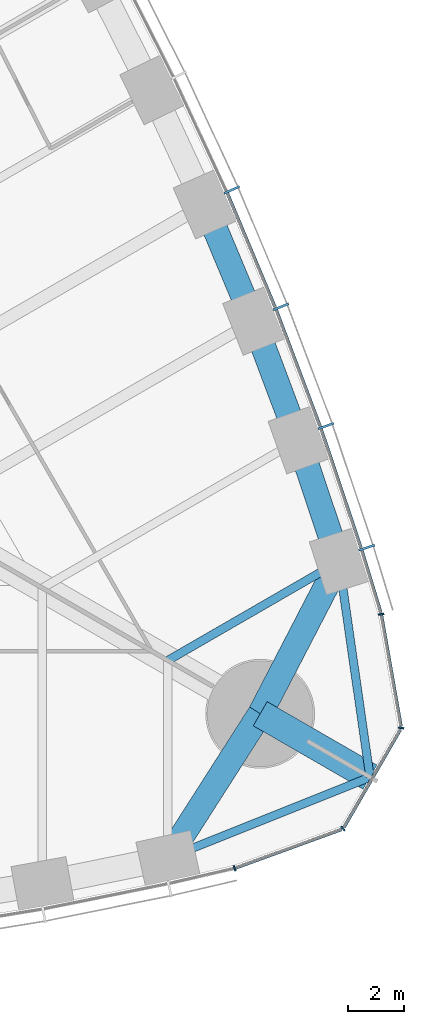
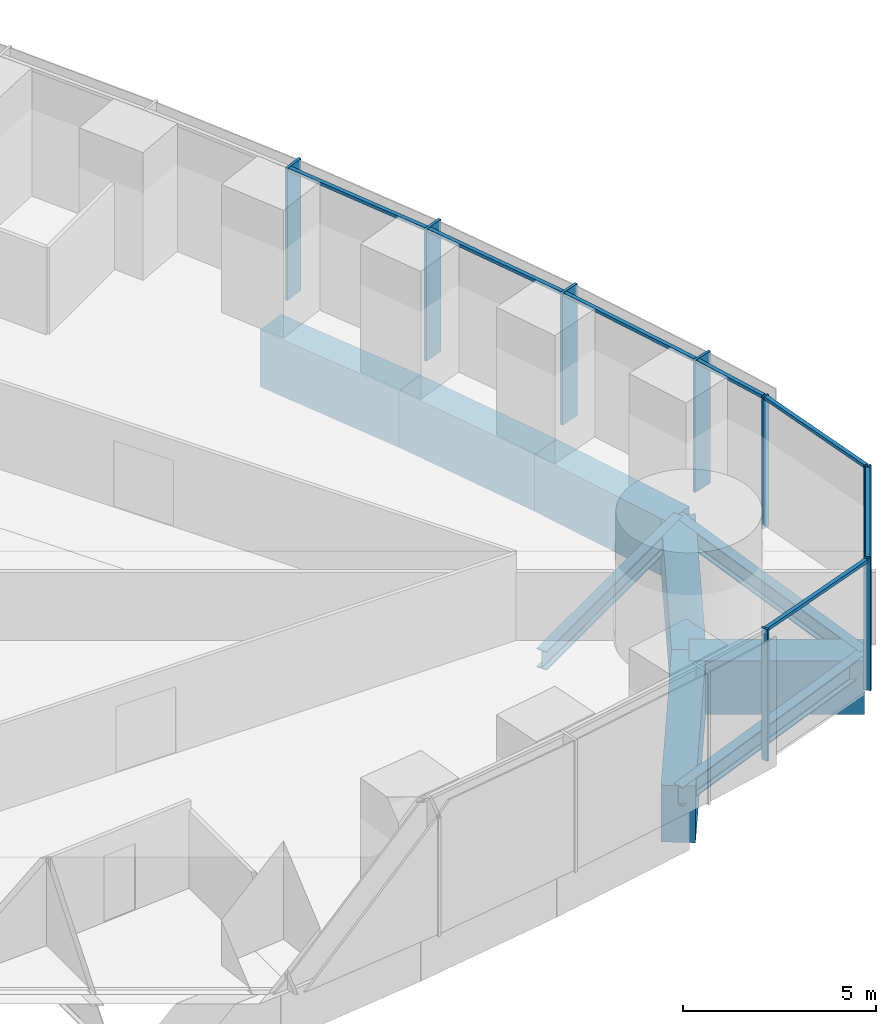
# One storey, part 7 of 19: 15 members, 9 beams, 2 elements without a shape of their own.
"""IFC4 building model written with IfcOpenShell, lengths in metres."""

from ifc_helpers import new_model, si_unit, direction, frame, origin, origin_2d, place, context, subcontext, project, spatial, rectangle, i_section, extrude, material, material_profile, profile_set, type_object, element, aggregate, save


model = new_model("IFC4")

# Units and contexts
model_context = context("Model", 3, precision=1e-05, world=origin(), true_north=direction((0.0, 1.0)))
body_context = subcontext(model_context, "Body", "Model", "MODEL_VIEW")
ifc_project = project(units=[si_unit("LENGTHUNIT", "METRE"), si_unit("AREAUNIT", "SQUARE_METRE"), si_unit("VOLUMEUNIT", "CUBIC_METRE"), si_unit("PLANEANGLEUNIT", "RADIAN"), si_unit("MASSUNIT", "GRAM", prefix="KILO")], contexts=[model_context])

# Site, building, storey
site_placement = place(None, origin())
site = spatial("IfcSite", under=ifc_project, at=site_placement, CompositionType="ELEMENT")
building_placement = place(site_placement, origin())
building = spatial("IfcBuilding", under=site, at=building_placement, Name="Trefoil Bronze Tower", CompositionType="ELEMENT")
storey_placement = place(building_placement, frame((0.0, 0.0, 166.10009765625)))
storey = spatial("IfcBuildingStorey", under=building, at=storey_placement, Name="L38", CompositionType="ELEMENT", Elevation=166.10009765625)

# Curtain wall, members
ifc_material_1 = material(Name="Tinted solar-control glass", Category="glass")
curtain_wall_type_1 = type_object("IfcCurtainWallType", Name="Bronze office curtain wall", PredefinedType="USERDEFINED", material=ifc_material_1)
curtain_wall_1_placement = place(storey_placement, origin())
curtain_wall_1 = element("IfcCurtainWall", 1, at=curtain_wall_1_placement, inside=storey, type_object=curtain_wall_type_1, Name="CW-A L38 F2", ObjectType="CURTAIN WALL", PredefinedType="USERDEFINED")
ifc_material_2 = material(Name="Bronze-finish aluminium", Category="aluminium")
ifc_material_profile_1 = material_profile(ifc_material_2, rectangle(XDim=0.60009765625, YDim=0.080078125, at=origin_2d()), Name="CW-A mullion")
ifc_profile_set_1 = profile_set([ifc_material_profile_1], Name="Bronze-finish aluminium")
member_type_1 = type_object("IfcMemberType", Name="Bronze office curtain wall mullion", PredefinedType="MULLION", material=ifc_profile_set_1)
member_1_placement = place(storey_placement, frame((34.1337890625, -11.543212890625, 0.0), z_axis=(0.0, 0.0, 1.0), x_axis=(-0.952331125357, -0.30506626768, 0.0)))
member_1 = element("IfcMember", 2, at=member_1_placement, type_object=member_type_1, Name="CW-A L38 F2 mullion 2", PredefinedType="MULLION", context=body_context, shape_type="SweptSolid", body=[
    extrude(rectangle(XDim=0.60009765625, YDim=0.080078125, at=origin_2d()), origin(), (0.0, 0.0, 1.0), 4.179931640625),
])
member_2_placement = place(storey_placement, frame((32.668701171875, -7.181884765625, 0.0), z_axis=(0.0, 0.0, 1.0), x_axis=(-0.94196250502, -0.335718094742, 0.0)))
member_2 = element("IfcMember", 3, at=member_2_placement, type_object=member_type_1, Name="CW-A L38 F2 mullion 3", PredefinedType="MULLION", context=body_context, shape_type="SweptSolid", body=[
    extrude(rectangle(XDim=0.60009765625, YDim=0.080078125, at=origin_2d()), origin(), (0.0, 0.0, 1.0), 4.179931640625),
])
member_3_placement = place(storey_placement, frame((31.055419921875, -2.90478515625, 0.0), z_axis=(0.0, 0.0, 1.0), x_axis=(-0.929071242848, -0.369900832269, 0.0)))
member_3 = element("IfcMember", 4, at=member_3_placement, type_object=member_type_1, Name="CW-A L38 F2 mullion 4", PredefinedType="MULLION", context=body_context, shape_type="SweptSolid", body=[
    extrude(rectangle(XDim=0.60009765625, YDim=0.080078125, at=origin_2d()), origin(), (0.0, 0.0, 1.0), 4.179931640625),
])
member_4_placement = place(storey_placement, frame((29.296875, 1.28857421875, 0.0), z_axis=(0.0, 0.0, 1.0), x_axis=(-0.915018269914, -0.40341240155, 0.0)))
member_4 = element("IfcMember", 5, at=member_4_placement, type_object=member_type_1, Name="CW-A L38 F2 mullion 5", PredefinedType="MULLION", context=body_context, shape_type="SweptSolid", body=[
    extrude(rectangle(XDim=0.60009765625, YDim=0.080078125, at=origin_2d()), origin(), (0.0, 0.0, 1.0), 4.179931640625),
])
ifc_material_3 = material(Name="Bronze-finish aluminium", Category="aluminium")
ifc_material_profile_2 = material_profile(ifc_material_3, rectangle(XDim=0.1201171875, YDim=0.10009765625, at=origin_2d()), Name="CW-A transom")
ifc_profile_set_2 = profile_set([ifc_material_profile_2], Name="Bronze-finish aluminium")
member_type_2 = type_object("IfcMemberType", Name="Bronze office curtain wall transom", PredefinedType="USERDEFINED", material=ifc_profile_set_2)
member_5_placement = place(storey_placement, frame((34.637939453125, -13.88232421875, 4.1298828125), z_axis=(-0.291680468798, 0.956515814883, 0.0), x_axis=(-0.956515814883, -0.291680468798, 0.0)))
member_5 = element("IfcMember", 6, at=member_5_placement, type_object=member_type_2, Name="CW-A L38 F2 transom 1", ObjectType="TRANSOM", PredefinedType="USERDEFINED", context=body_context, shape_type="SweptSolid", body=[
    extrude(rectangle(XDim=0.1201171875, YDim=0.10009765625, at=origin_2d()), origin(), (0.0, 0.0, 1.0), 2.34033203125),
])
member_6_placement = place(storey_placement, frame((33.929931640625, -11.56494140625, 4.1298828125), z_axis=(-0.318386323729, 0.947961048178, 0.0), x_axis=(-0.947961048178, -0.318386323729, 0.0)))
member_6 = element("IfcMember", 7, at=member_6_placement, type_object=member_type_2, Name="CW-A L38 F2 transom 2", ObjectType="TRANSOM", PredefinedType="USERDEFINED", context=body_context, shape_type="SweptSolid", body=[
    extrude(rectangle(XDim=0.1201171875, YDim=0.10009765625, at=origin_2d()), origin(), (0.0, 0.0, 1.0), 4.51123046875),
])
member_7_placement = place(storey_placement, frame((32.465576171875, -7.2099609375, 4.1298828125), z_axis=(-0.352932154759, 0.935648916067, 0.0), x_axis=(-0.935648916067, -0.352932154759, 0.0)))
member_7 = element("IfcMember", 8, at=member_7_placement, type_object=member_type_2, Name="CW-A L38 F2 transom 3", ObjectType="TRANSOM", PredefinedType="USERDEFINED", context=body_context, shape_type="SweptSolid", body=[
    extrude(rectangle(XDim=0.1201171875, YDim=0.10009765625, at=origin_2d()), origin(), (0.0, 0.0, 1.0), 4.48046875),
])
member_8_placement = place(storey_placement, frame((30.853515625, -2.940185546875, 4.1298828125), z_axis=(-0.386773266184, 0.922174842731, 0.0), x_axis=(-0.922174842731, -0.386773266184, 0.0)))
member_8 = element("IfcMember", 9, at=member_8_placement, type_object=member_type_2, Name="CW-A L38 F2 transom 4", ObjectType="TRANSOM", PredefinedType="USERDEFINED", context=body_context, shape_type="SweptSolid", body=[
    extrude(rectangle(XDim=0.1201171875, YDim=0.10009765625, at=origin_2d()), origin(), (0.0, 0.0, 1.0), 4.45654296875),
])
aggregate(curtain_wall_1, [member_1, member_2, member_3, member_4, member_5, member_6, member_7, member_8])

ifc_material_4 = material(Name="Tinted solar-control glass", Category="glass")
curtain_wall_type_2 = type_object("IfcCurtainWallType", Name="Bronze rounded corner curtain wall", PredefinedType="USERDEFINED", material=ifc_material_4)
curtain_wall_2_placement = place(storey_placement, origin())
curtain_wall_2 = element("IfcCurtainWall", 10, at=curtain_wall_2_placement, inside=storey, type_object=curtain_wall_type_2, Name="CW-B L38 K1", ObjectType="CURTAIN WALL", PredefinedType="USERDEFINED")
ifc_material_5 = material(Name="Bronze-finish aluminium", Category="aluminium")
ifc_material_profile_3 = material_profile(ifc_material_5, rectangle(XDim=0.199951171875, YDim=0.06005859375, at=origin_2d()), Name="CW-B mullion")
ifc_profile_set_3 = profile_set([ifc_material_profile_3], Name="Bronze-finish aluminium")
member_type_3 = type_object("IfcMemberType", Name="Bronze rounded corner curtain wall mullion", PredefinedType="MULLION", material=ifc_profile_set_3)
member_9_placement = place(storey_placement, frame((29.391845703125, -23.043701171875, 0.0), z_axis=(0.0, 0.0, 1.0), x_axis=(-0.342020143326, 0.939692620786, 0.0)))
member_9 = element("IfcMember", 11, at=member_9_placement, type_object=member_type_3, Name="CW-B L38 K1 mullion 1", PredefinedType="MULLION", context=body_context, shape_type="SweptSolid", body=[
    extrude(rectangle(XDim=0.199951171875, YDim=0.06005859375, at=origin_2d()), origin(), (0.0, 0.0, 1.0), 4.179931640625),
])
member_10_placement = place(storey_placement, frame((33.27880859375, -21.62255859375, 0.0), z_axis=(0.0, 0.0, 1.0), x_axis=(-0.642787609687, 0.766044443119, 0.0)))
member_10 = element("IfcMember", 12, at=member_10_placement, type_object=member_type_3, Name="CW-B L38 K1 mullion 2", PredefinedType="MULLION", context=body_context, shape_type="SweptSolid", body=[
    extrude(rectangle(XDim=0.199951171875, YDim=0.06005859375, at=origin_2d()), origin(), (0.0, 0.0, 1.0), 4.179931640625),
])
member_11_placement = place(storey_placement, frame((35.364990234375, -18.009033203125, 0.0), z_axis=(0.0, 0.0, 1.0), x_axis=(-0.984807753012, 0.173648177667, 0.0)))
member_11 = element("IfcMember", 13, at=member_11_placement, type_object=member_type_3, Name="CW-B L38 K1 mullion 3", PredefinedType="MULLION", context=body_context, shape_type="SweptSolid", body=[
    extrude(rectangle(XDim=0.199951171875, YDim=0.06005859375, at=origin_2d()), origin(), (0.0, 0.0, 1.0), 4.179931640625),
])
member_12_placement = place(storey_placement, frame((34.65234375, -13.932373046875, 0.0), z_axis=(0.0, 0.0, 1.0), x_axis=(-0.984807753012, -0.173648177667, 0.0)))
member_12 = element("IfcMember", 14, at=member_12_placement, type_object=member_type_3, Name="CW-B L38 K1 mullion 4", PredefinedType="MULLION", context=body_context, shape_type="SweptSolid", body=[
    extrude(rectangle(XDim=0.199951171875, YDim=0.06005859375, at=origin_2d()), origin(), (0.0, 0.0, 1.0), 4.179931640625),
])
ifc_material_6 = material(Name="Bronze-finish aluminium", Category="aluminium")
ifc_material_profile_4 = material_profile(ifc_material_6, rectangle(XDim=0.1201171875, YDim=0.10009765625, at=origin_2d()), Name="CW-B transom")
ifc_profile_set_4 = profile_set([ifc_material_profile_4], Name="Bronze-finish aluminium")
member_type_4 = type_object("IfcMemberType", Name="Bronze rounded corner curtain wall transom", PredefinedType="USERDEFINED", material=ifc_profile_set_4)
member_13_placement = place(storey_placement, frame((29.420166015625, -23.033447265625, 4.1298828125), z_axis=(0.939684096629, 0.342043562347, 0.0), x_axis=(-0.342043562347, 0.939684096629, 0.0)))
member_13 = element("IfcMember", 15, at=member_13_placement, type_object=member_type_4, Name="CW-B L38 K1 transom 1", ObjectType="TRANSOM", PredefinedType="USERDEFINED", context=body_context, shape_type="SweptSolid", body=[
    extrude(rectangle(XDim=0.1201171875, YDim=0.10009765625, at=origin_2d()), origin(), (0.0, 0.0, 1.0), 4.044189453125),
])
member_14_placement = place(storey_placement, frame((33.31591796875, -21.570068359375, 4.1298828125), z_axis=(0.500015078168, 0.866016698225, 0.0), x_axis=(-0.866016698225, 0.500015078168, 0.0)))
member_14 = element("IfcMember", 16, at=member_14_placement, type_object=member_type_4, Name="CW-B L38 K1 transom 2", ObjectType="TRANSOM", PredefinedType="USERDEFINED", context=body_context, shape_type="SweptSolid", body=[
    extrude(rectangle(XDim=0.1201171875, YDim=0.10009765625, at=origin_2d()), origin(), (0.0, 0.0, 1.0), 4.04443359375),
])
member_15_placement = place(storey_placement, frame((35.35986328125, -17.944580078125, 4.1298828125), z_axis=(-0.173682016639, 0.984801785689, 0.0), x_axis=(-0.984801785689, -0.173682016639, 0.0)))
member_15 = element("IfcMember", 17, at=member_15_placement, type_object=member_type_4, Name="CW-B L38 K1 transom 3", ObjectType="TRANSOM", PredefinedType="USERDEFINED", context=body_context, shape_type="SweptSolid", body=[
    extrude(rectangle(XDim=0.1201171875, YDim=0.10009765625, at=origin_2d()), origin(), (0.0, 0.0, 1.0), 4.044189453125),
])
aggregate(curtain_wall_2, [member_9, member_10, member_11, member_12, member_13, member_14, member_15])

# Beams
ifc_material_7 = material(Name="Concrete B80", Category="concrete")
ifc_material_profile_5 = material_profile(ifc_material_7, rectangle(XDim=1.0, YDim=1.699951171875, at=origin_2d()), Name="RC 1000x1700")
ifc_profile_set_5 = profile_set([ifc_material_profile_5], Name="Concrete B80")
beam_type_1 = type_object("IfcBeamType", Name="Corner cantilever RC 1000x1700", PredefinedType="BEAM", material=ifc_profile_set_5)
beam_1_placement = place(storey_placement, frame((30.310791015625, -17.5, -1.050048828125), z_axis=(0.866031878637, -0.499988785058, 0.0), x_axis=(0.499988785058, 0.866031878637, 0.0)))
element("IfcBeam", 18, at=beam_1_placement, inside=storey, type_object=beam_type_1, Name="Corner cantilever K1 L38", PredefinedType="BEAM", context=body_context, shape_type="SweptSolid", body=[
    extrude(rectangle(XDim=1.0, YDim=1.699951171875, at=origin_2d()), origin(), (0.0, 0.0, 1.0), 4.54931640625),
])
ifc_material_8 = material(Name="Steel C355", Category="steel")
ifc_material_profile_6 = material_profile(ifc_material_8, i_section(OverallWidth=0.300048828125, OverallDepth=0.60009765625, WebThickness=0.015380859375, FlangeThickness=0.030029296875, FilletRadius=0.027099609375, at=origin_2d()), Name="HEB 600")
ifc_profile_set_6 = profile_set([ifc_material_profile_6], Name="Steel C355")
beam_type_2 = type_object("IfcBeamType", Name="Corner edge beam HEB 600", PredefinedType="BEAM", material=ifc_profile_set_6)
for number, where, z_axis, x_axis, name in (
    (19, (27.0, -22.67724609375, -0.5), (0.928375332495, 0.371643972122, 0.0), (-0.371643972122, 0.928375332495, 0.0), "Corner edge beam F1A L38"),
    (20, (33.13916015625, -12.044189453125, -0.5), (0.142327214588, -0.989819662357, 0.0), (0.989819662357, 0.142327214588, 0.0), "Corner edge beam F2B L38"),
):
    element("IfcBeam", number, at=place(storey_placement, frame(where, z_axis=z_axis, x_axis=x_axis)), inside=storey, type_object=beam_type_2, Name=name, PredefinedType="BEAM", context=body_context, shape_type="SweptSolid", body=[
        extrude(i_section(OverallWidth=0.300048828125, OverallDepth=0.60009765625, WebThickness=0.015380859375, FlangeThickness=0.030029296875, FilletRadius=0.027099609375, at=origin_2d()), origin(), (0.0, 0.0, 1.0), 7.81005859375),
    ])
ifc_material_9 = material(Name="Concrete B80", Category="concrete")
ifc_material_profile_7 = material_profile(ifc_material_9, rectangle(XDim=0.89990234375, YDim=1.800048828125, at=origin_2d()), Name="RC 900x1800")
ifc_profile_set_7 = profile_set([ifc_material_profile_7], Name="Concrete B80")
beam_type_3 = type_object("IfcBeamType", Name="End spandrel beam RC 900x1800", PredefinedType="SPANDREL", material=ifc_profile_set_7)
for number, where, z_axis, x_axis, name in (
    (21, (27.0, -22.67724609375, -1.10009765625), (0.53874814953, 0.84246687257, 0.0), (-0.84246687257, 0.53874814953, 0.0), "Spandrel F1.14 L38"),
    (22, (30.310791015625, -17.5, -1.10009765625), (0.460244107083, 0.887792409235, 0.0), (-0.887792409235, 0.460244107083, 0.0), "Spandrel F2.1 L38"),
):
    element("IfcBeam", number, at=place(storey_placement, frame(where, z_axis=z_axis, x_axis=x_axis)), inside=storey, type_object=beam_type_3, Name=name, PredefinedType="SPANDREL", context=body_context, shape_type="SweptSolid", body=[
        extrude(rectangle(XDim=0.89990234375, YDim=1.800048828125, at=origin_2d()), origin(), (0.0, 0.0, 1.0), 6.145263671875),
    ])
ifc_material_10 = material(Name="Steel C355", Category="steel")
ifc_material_profile_8 = material_profile(ifc_material_10, i_section(OverallWidth=0.300048828125, OverallDepth=0.60009765625, WebThickness=0.015380859375, FlangeThickness=0.030029296875, FilletRadius=0.027099609375, at=origin_2d()), Name="HEB 600")
ifc_profile_set_8 = profile_set([ifc_material_profile_8], Name="Steel C355")
beam_type_4 = type_object("IfcBeamType", Name="Floor beam HEB 600", PredefinedType="BEAM", material=ifc_profile_set_8)
beam_2_placement = place(storey_placement, frame((33.13916015625, -12.044189453125, -0.5), z_axis=(-0.866041060244, -0.499972881236, 0.0), x_axis=(0.499972881236, -0.866041060244, 0.0)))
element("IfcBeam", 23, at=beam_2_placement, inside=storey, type_object=beam_type_4, Name="Floor beam F2/-6 L38", PredefinedType="BEAM", context=body_context, shape_type="SweptSolid", body=[
    extrude(i_section(OverallWidth=0.300048828125, OverallDepth=0.60009765625, WebThickness=0.015380859375, FlangeThickness=0.030029296875, FilletRadius=0.027099609375, at=origin_2d()), origin(), (0.0, 0.0, 1.0), 7.0888671875),
])
ifc_material_11 = material(Name="Concrete B80", Category="concrete")
ifc_material_profile_9 = material_profile(ifc_material_11, rectangle(XDim=0.89990234375, YDim=1.800048828125, at=origin_2d()), Name="RC 900x1800")
ifc_profile_set_9 = profile_set([ifc_material_profile_9], Name="Concrete B80")
beam_type_5 = type_object("IfcBeamType", Name="Spandrel beam RC 900x1800", PredefinedType="SPANDREL", material=ifc_profile_set_9)
beam_3_placement = place(storey_placement, frame((33.13916015625, -12.044189453125, -1.10009765625), z_axis=(-0.31732802068, 0.948315837309, 0.0), x_axis=(-0.948315837309, -0.31732802068, 0.0)))
element("IfcBeam", 24, at=beam_3_placement, inside=storey, type_object=beam_type_5, Name="Spandrel F2.2 L38", PredefinedType="SPANDREL", context=body_context, shape_type="SweptSolid", body=[
    extrude(rectangle(XDim=0.89990234375, YDim=1.800048828125, at=origin_2d()), origin(), (0.0, 0.0, 1.0), 4.59228515625),
])
beam_4_placement = place(storey_placement, frame((31.681884765625, -7.689208984375, -1.10009765625), z_axis=(-0.351938675523, 0.936023059904, 0.0), x_axis=(-0.936023059904, -0.351938675523, 0.0)))
element("IfcBeam", 25, at=beam_4_placement, inside=storey, type_object=beam_type_5, Name="Spandrel F2.3 L38", PredefinedType="SPANDREL", context=body_context, shape_type="SweptSolid", body=[
    extrude(rectangle(XDim=0.89990234375, YDim=1.800048828125, at=origin_2d()), origin(), (0.0, 0.0, 1.0), 4.56103515625),
])
beam_5_placement = place(storey_placement, frame((30.07666015625, -3.419921875, -1.10009765625), z_axis=(-0.386013490858, 0.922493135408, 0.0), x_axis=(-0.922493135408, -0.386013490858, 0.0)))
element("IfcBeam", 26, at=beam_5_placement, inside=storey, type_object=beam_type_5, Name="Spandrel F2.4 L38", PredefinedType="SPANDREL", context=body_context, shape_type="SweptSolid", body=[
    extrude(rectangle(XDim=0.89990234375, YDim=1.800048828125, at=origin_2d()), origin(), (0.0, 0.0, 1.0), 4.53662109375),
])

save(model, "model.ifc")
